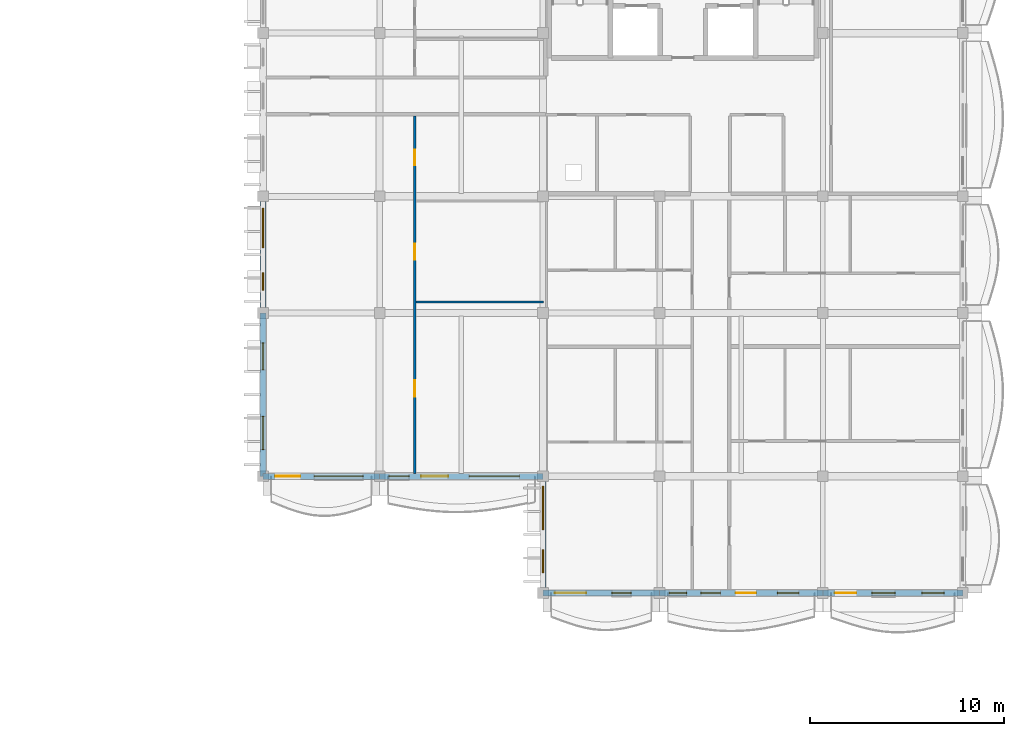
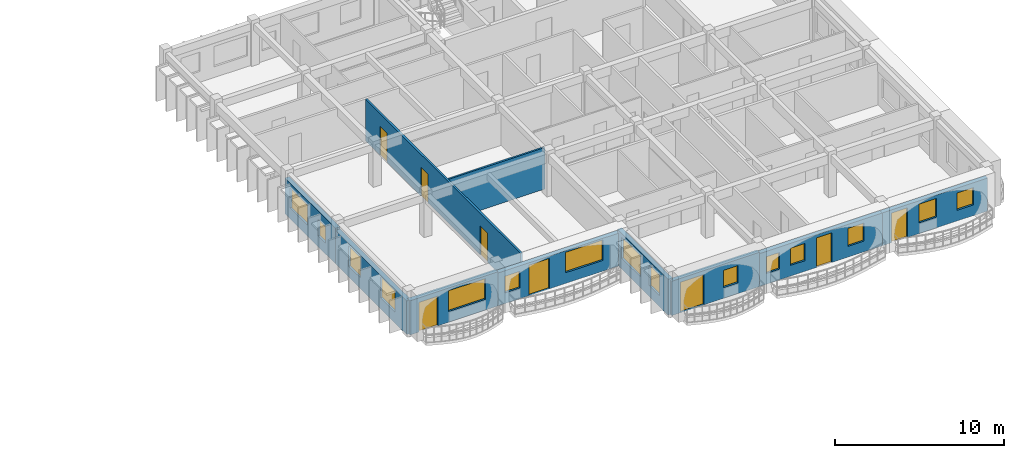
# One storey, part 31 of 70: 15 windows, 10 walls, 8 doors, 23 openings.
"""IFC4 building model written with IfcOpenShell, lengths in metres."""

from ifc_helpers import new_model, si_unit, direction, frame, frame_2d, origin, place, context, subcontext, project, spatial, rectangle, extrude, material, layer, layer_set, type_object, element, fill, save


model = new_model("IFC4")

# Units and contexts
model_context = context("Model", 3, precision=1e-05, world=origin(), true_north=direction((0.0, 1.0)))
body_context = subcontext(model_context, "Body", "Model", "MODEL_VIEW")
ifc_project = project(units=[si_unit("LENGTHUNIT", "METRE"), si_unit("AREAUNIT", "SQUARE_METRE"), si_unit("VOLUMEUNIT", "CUBIC_METRE"), si_unit("PLANEANGLEUNIT", "RADIAN"), si_unit("MASSUNIT", "GRAM", prefix="KILO"), si_unit("THERMODYNAMICTEMPERATUREUNIT", "KELVIN")], contexts=[model_context])

# Site, building, storey
site_placement = place(None, origin())
site = spatial("IfcSite", under=ifc_project, at=site_placement, CompositionType="ELEMENT")
building_placement = place(site_placement, origin())
building = spatial("IfcBuilding", under=site, at=building_placement, Name="Thalorik Housing Commons", CompositionType="ELEMENT")
storey_placement = place(building_placement, frame((0.0, 0.0, 14.699951171875)))
storey = spatial("IfcBuildingStorey", under=building, at=storey_placement, Name="L04", CompositionType="ELEMENT", Elevation=14.699951171875)

# Wall, openings, windows
ifc_material_1 = material(Name="White precast concrete C40/50", Category="concrete")
ifc_layer_1 = layer(ifc_material_1, 0.304931640625, Name="White precast concrete C40/50", Category="concrete")
ifc_layer_set_1 = layer_set([ifc_layer_1], Name="White precast concrete C40/50")
wall_type_1 = type_object("IfcWallType", Name="ARC-WAL-EXT-305", PredefinedType="STANDARD", material=ifc_layer_set_1)
wall_1_placement = place(storey_placement, frame((138.0, 57.60009765625, 0.0), z_axis=(0.0, 0.0, 1.0), x_axis=(0.0, -1.0, 0.0)))
wall_1 = element("IfcWall", 1, at=wall_1_placement, inside=storey, type_object=wall_type_1, Name="L04 Exterior Wall WAL-EXT-L04-D-1189", PredefinedType="STANDARD", context=body_context, shape_type="SweptSolid", body=[
    extrude(rectangle(XDim=6.0, YDim=0.304931640625, at=frame_2d((3.0, 0.0))), origin(), (0.0, 0.0, 1.0), 2.574951171875),
])
opening_1_placement = place(wall_1_placement, frame((0.610107421875, 0.0, 0.780029296875)))
opening_1 = element("IfcOpeningElement", 2, at=opening_1_placement, cuts=wall_1, Name="Opening W-62", PredefinedType="OPENING", context=body_context, shape_type="SweptSolid", body=[
    extrude(rectangle(XDim=2.0400390625, YDim=1.4599609375, at=frame_2d((1.02001953125, 0.72998046875))), frame((0.0, 0.16259765625, 0.0), z_axis=(0.0, -1.0, 0.0), x_axis=(1.0, 0.0, 0.0)), (0.0, 0.0, 1.0), 0.324951171875),
])
opening_2_placement = place(wall_1_placement, frame((3.919921875, 0.0, 0.780029296875)))
opening_2 = element("IfcOpeningElement", 3, at=opening_2_placement, cuts=wall_1, Name="Opening W-01", PredefinedType="OPENING", context=body_context, shape_type="SweptSolid", body=[
    extrude(rectangle(XDim=0.89990234375, YDim=1.199951171875, at=frame_2d((0.449951171875, 0.60009765625))), frame((0.0, 0.16259765625, 0.0), z_axis=(0.0, -1.0, 0.0), x_axis=(1.0, 0.0, 0.0)), (0.0, 0.0, 1.0), 0.324951171875),
])
ifc_material_2 = material(Name="Anodised aluminium and solar-control low-E glass", Category="aluminium")
window_type_1 = type_object("IfcWindowType", Name="ARC-WIN-01", PartitioningType="SINGLE_PANEL", PredefinedType="WINDOW", material=ifc_material_2)
window_1_placement = place(opening_2_placement, origin())
window_1 = element("IfcWindow", 4, at=window_1_placement, inside=storey, type_object=window_type_1, Name="L04 Facade Window 2176", OverallHeight=1.199951171875, OverallWidth=0.89990234375, PartitioningType="SINGLE_PANEL", PredefinedType="WINDOW", context=body_context, shape_type="SweptSolid", body=[
    extrude(rectangle(XDim=0.89990234375, YDim=1.199951171875, at=frame_2d((0.449951171875, 0.60009765625))), frame((0.0, 0.030029296875, 0.0), z_axis=(0.0, -1.0, 0.0), x_axis=(1.0, 0.0, 0.0)), (0.0, 0.0, 1.0), 0.06005859375),
])
fill(opening_2, window_1)
window_type_2 = type_object("IfcWindowType", Name="ARC-WIN-62", PartitioningType="DOUBLE_PANEL_VERTICAL", PredefinedType="WINDOW", material=ifc_material_2)
window_2_placement = place(opening_1_placement, origin())
window_2 = element("IfcWindow", 5, at=window_2_placement, inside=storey, type_object=window_type_2, Name="L04 Facade Window 2175", OverallHeight=1.4599609375, OverallWidth=2.0400390625, PartitioningType="DOUBLE_PANEL_VERTICAL", PredefinedType="WINDOW", context=body_context, shape_type="SweptSolid", body=[
    extrude(rectangle(XDim=2.0400390625, YDim=1.4599609375, at=frame_2d((1.02001953125, 0.72998046875))), frame((0.0, 0.030029296875, 0.0), z_axis=(0.0, -1.0, 0.0), x_axis=(1.0, 0.0, 0.0)), (0.0, 0.0, 1.0), 0.06005859375),
])
fill(opening_1, window_2)

wall_2_placement = place(storey_placement, frame((138.0, 51.60009765625, 0.0), z_axis=(0.0, 0.0, 1.0), x_axis=(0.0, -1.0, 0.0)))
wall_2 = element("IfcWall", 6, at=wall_2_placement, inside=storey, type_object=wall_type_1, Name="L04 Exterior Wall WAL-EXT-L04-D-1190", PredefinedType="STANDARD", context=body_context, shape_type="SweptSolid", body=[
    extrude(rectangle(XDim=8.400146484375, YDim=0.304931640625, at=frame_2d((4.2001953125, 0.0))), origin(), (0.0, 0.0, 1.0), 2.425048828125),
])
opening_3_placement = place(wall_2_placement, frame((1.5400390625, 0.0, 0.780029296875)))
opening_3 = element("IfcOpeningElement", 7, at=opening_3_placement, cuts=wall_2, Name="Opening W-49", PredefinedType="OPENING", context=body_context, shape_type="SweptSolid", body=[
    extrude(rectangle(XDim=1.3798828125, YDim=1.47998046875, at=frame_2d((0.68994140625, 0.739990234375))), frame((0.0, 0.16259765625, 0.0), z_axis=(0.0, -1.0, 0.0), x_axis=(1.0, 0.0, 0.0)), (0.0, 0.0, 1.0), 0.324951171875),
])
opening_4_placement = place(wall_2_placement, frame((5.31005859375, 0.0, 0.780029296875)))
opening_4 = element("IfcOpeningElement", 8, at=opening_4_placement, cuts=wall_2, Name="Opening W-56", PredefinedType="OPENING", context=body_context, shape_type="SweptSolid", body=[
    extrude(rectangle(XDim=1.719970703125, YDim=1.52001953125, at=frame_2d((0.85986328125, 0.760009765625))), frame((0.0, 0.16259765625, 0.0), z_axis=(0.0, -1.0, 0.0), x_axis=(1.0, 0.0, 0.0)), (0.0, 0.0, 1.0), 0.324951171875),
])
window_type_3 = type_object("IfcWindowType", Name="ARC-WIN-49", PartitioningType="SINGLE_PANEL", PredefinedType="WINDOW", material=ifc_material_2)
window_3_placement = place(opening_3_placement, origin())
window_3 = element("IfcWindow", 9, at=window_3_placement, inside=storey, type_object=window_type_3, Name="L04 Facade Window 2177", OverallHeight=1.47998046875, OverallWidth=1.3798828125, PartitioningType="SINGLE_PANEL", PredefinedType="WINDOW", context=body_context, shape_type="SweptSolid", body=[
    extrude(rectangle(XDim=1.3798828125, YDim=1.47998046875, at=frame_2d((0.68994140625, 0.739990234375))), frame((0.0, 0.030029296875, 0.0), z_axis=(0.0, -1.0, 0.0), x_axis=(1.0, 0.0, 0.0)), (0.0, 0.0, 1.0), 0.06005859375),
])
fill(opening_3, window_3)
window_type_4 = type_object("IfcWindowType", Name="ARC-WIN-56", PartitioningType="DOUBLE_PANEL_VERTICAL", PredefinedType="WINDOW", material=ifc_material_2)
window_4_placement = place(opening_4_placement, origin())
window_4 = element("IfcWindow", 10, at=window_4_placement, inside=storey, type_object=window_type_4, Name="L04 Facade Window 2178", OverallHeight=1.52001953125, OverallWidth=1.719970703125, PartitioningType="DOUBLE_PANEL_VERTICAL", PredefinedType="WINDOW", context=body_context, shape_type="SweptSolid", body=[
    extrude(rectangle(XDim=1.719970703125, YDim=1.52001953125, at=frame_2d((0.85986328125, 0.760009765625))), frame((0.0, 0.030029296875, 0.0), z_axis=(0.0, -1.0, 0.0), x_axis=(1.0, 0.0, 0.0)), (0.0, 0.0, 1.0), 0.06005859375),
])
fill(opening_4, window_4)

# Wall, openings, door, window
wall_3_placement = place(storey_placement, frame((138.0, 43.199951171875, 0.0), z_axis=(0.0, 0.0, 1.0), x_axis=(1.0, 0.0, 0.0)))
wall_3 = element("IfcWall", 11, at=wall_3_placement, inside=storey, type_object=wall_type_1, Name="L04 Exterior Wall WAL-EXT-L04-D-1191", PredefinedType="STANDARD", context=body_context, shape_type="SweptSolid", body=[
    extrude(rectangle(XDim=6.0, YDim=0.304931640625, at=frame_2d((3.0, 0.0))), origin(), (0.0, 0.0, 1.0), 2.47509765625),
])
opening_5_placement = place(wall_3_placement, frame((0.6201171875, 0.0, 0.0)))
opening_5 = element("IfcOpeningElement", 12, at=opening_5_placement, cuts=wall_3, Name="Opening ED-0396", PredefinedType="OPENING", context=body_context, shape_type="SweptSolid", body=[
    extrude(rectangle(XDim=1.300048828125, YDim=2.14990234375, at=frame_2d((0.64990234375, 1.074951171875))), frame((0.0, 0.16259765625, 0.0), z_axis=(0.0, -1.0, 0.0), x_axis=(1.0, 0.0, 0.0)), (0.0, 0.0, 1.0), 0.324951171875),
])
opening_6_placement = place(wall_3_placement, frame((2.6298828125, 0.0, 0.780029296875)))
opening_6 = element("IfcOpeningElement", 13, at=opening_6_placement, cuts=wall_3, Name="Opening W-72", PredefinedType="OPENING", context=body_context, shape_type="SweptSolid", body=[
    extrude(rectangle(XDim=2.52001953125, YDim=1.5, at=frame_2d((1.260009765625, 0.75))), frame((0.0, 0.16259765625, 0.0), z_axis=(0.0, -1.0, 0.0), x_axis=(1.0, 0.0, 0.0)), (0.0, 0.0, 1.0), 0.324951171875),
])
ifc_material_3 = material(Name="Anodised aluminium and laminated safety glass", Category="aluminium")
door_type_1 = type_object("IfcDoorType", Name="ARC-DR-BAL-1300", OperationType="NOTDEFINED", PredefinedType="DOOR", material=ifc_material_3)
door_1_placement = place(opening_5_placement, frame((1.300048828125, 0.0, 0.0), z_axis=(0.0, 0.0, 1.0), x_axis=(-1.0, 0.0, 0.0)))
door_1 = element("IfcDoor", 14, at=door_1_placement, inside=storey, type_object=door_type_1, Name="L04 Block D Balcony Glazed Door", OperationType="SINGLE_SWING_LEFT", OverallHeight=2.14990234375, OverallWidth=1.300048828125, PredefinedType="DOOR", context=body_context, shape_type="SweptSolid", body=[
    extrude(rectangle(XDim=1.300048828125, YDim=2.14990234375, at=frame_2d((0.64990234375, 1.074951171875))), frame((0.0, 0.02490234375, 0.0), z_axis=(0.0, -1.0, 0.0), x_axis=(1.0, 0.0, 0.0)), (0.0, 0.0, 1.0), 0.050048828125),
])
fill(opening_5, door_1)
window_type_5 = type_object("IfcWindowType", Name="ARC-WIN-72", PartitioningType="DOUBLE_PANEL_VERTICAL", PredefinedType="WINDOW", material=ifc_material_2)
window_5_placement = place(opening_6_placement, origin())
window_5 = element("IfcWindow", 15, at=window_5_placement, inside=storey, type_object=window_type_5, Name="L04 Facade Window 2179", OverallHeight=1.5, OverallWidth=2.52001953125, PartitioningType="DOUBLE_PANEL_VERTICAL", PredefinedType="WINDOW", context=body_context, shape_type="SweptSolid", body=[
    extrude(rectangle(XDim=2.52001953125, YDim=1.5, at=frame_2d((1.260009765625, 0.75))), frame((0.0, 0.030029296875, 0.0), z_axis=(0.0, -1.0, 0.0), x_axis=(1.0, 0.0, 0.0)), (0.0, 0.0, 1.0), 0.06005859375),
])
fill(opening_6, window_5)

# Wall, openings, door, windows
wall_4_placement = place(storey_placement, frame((144.0, 43.199951171875, 0.0), z_axis=(0.0, 0.0, 1.0), x_axis=(1.0, 0.0, 0.0)))
wall_4 = element("IfcWall", 16, at=wall_4_placement, inside=storey, type_object=wall_type_1, Name="L04 Exterior Wall WAL-EXT-L04-D-1192", PredefinedType="STANDARD", context=body_context, shape_type="SweptSolid", body=[
    extrude(rectangle(XDim=8.39990234375, YDim=0.304931640625, at=frame_2d((4.199951171875, 0.0))), origin(), (0.0, 0.0, 1.0), 2.375),
])
opening_7_placement = place(wall_4_placement, frame((2.1298828125, 0.0, 0.0)))
opening_7 = element("IfcOpeningElement", 17, at=opening_7_placement, cuts=wall_4, Name="Opening ED-0397", PredefinedType="OPENING", context=body_context, shape_type="SweptSolid", body=[
    extrude(rectangle(XDim=1.39990234375, YDim=2.199951171875, at=frame_2d((0.699951171875, 1.10009765625))), frame((0.0, 0.16259765625, 0.0), z_axis=(0.0, -1.0, 0.0), x_axis=(1.0, 0.0, 0.0)), (0.0, 0.0, 1.0), 0.324951171875),
])
opening_8_placement = place(wall_4_placement, frame((0.469970703125, 0.0, 0.780029296875)))
opening_8 = element("IfcOpeningElement", 18, at=opening_8_placement, cuts=wall_4, Name="Opening W-44", PredefinedType="OPENING", context=body_context, shape_type="SweptSolid", body=[
    extrude(rectangle(XDim=1.050048828125, YDim=1.199951171875, at=frame_2d((0.52490234375, 0.60009765625))), frame((0.0, 0.16259765625, 0.0), z_axis=(0.0, -1.0, 0.0), x_axis=(1.0, 0.0, 0.0)), (0.0, 0.0, 1.0), 0.324951171875),
])
opening_9_placement = place(wall_4_placement, frame((4.60498046875, 0.0, 0.780029296875)))
opening_9 = element("IfcOpeningElement", 19, at=opening_9_placement, cuts=wall_4, Name="Opening W-73", PredefinedType="OPENING", context=body_context, shape_type="SweptSolid", body=[
    extrude(rectangle(XDim=2.580078125, YDim=1.47998046875, at=frame_2d((1.2900390625, 0.739990234375))), frame((0.0, 0.16259765625, 0.0), z_axis=(0.0, -1.0, 0.0), x_axis=(1.0, 0.0, 0.0)), (0.0, 0.0, 1.0), 0.324951171875),
])
door_type_2 = type_object("IfcDoorType", Name="ARC-DR-BAL-1400", OperationType="NOTDEFINED", PredefinedType="DOOR", material=ifc_material_3)
door_2_placement = place(opening_7_placement, frame((1.39990234375, 0.0, 0.0), z_axis=(0.0, 0.0, 1.0), x_axis=(-1.0, 0.0, 0.0)))
door_2 = element("IfcDoor", 20, at=door_2_placement, inside=storey, type_object=door_type_2, Name="L04 Block D Balcony Glazed Door", OperationType="SLIDING_TO_LEFT", OverallHeight=2.199951171875, OverallWidth=1.39990234375, PredefinedType="DOOR", context=body_context, shape_type="SweptSolid", body=[
    extrude(rectangle(XDim=1.39990234375, YDim=2.199951171875, at=frame_2d((0.699951171875, 1.10009765625))), frame((0.0, 0.02490234375, 0.0), z_axis=(0.0, -1.0, 0.0), x_axis=(1.0, 0.0, 0.0)), (0.0, 0.0, 1.0), 0.050048828125),
])
fill(opening_7, door_2)
window_type_6 = type_object("IfcWindowType", Name="ARC-WIN-44", PartitioningType="SINGLE_PANEL", PredefinedType="WINDOW", material=ifc_material_2)
window_6_placement = place(opening_8_placement, origin())
window_6 = element("IfcWindow", 21, at=window_6_placement, inside=storey, type_object=window_type_6, Name="L04 Facade Window 2180", OverallHeight=1.199951171875, OverallWidth=1.050048828125, PartitioningType="SINGLE_PANEL", PredefinedType="WINDOW", context=body_context, shape_type="SweptSolid", body=[
    extrude(rectangle(XDim=1.050048828125, YDim=1.199951171875, at=frame_2d((0.52490234375, 0.60009765625))), frame((0.0, 0.030029296875, 0.0), z_axis=(0.0, -1.0, 0.0), x_axis=(1.0, 0.0, 0.0)), (0.0, 0.0, 1.0), 0.06005859375),
])
fill(opening_8, window_6)
window_type_7 = type_object("IfcWindowType", Name="ARC-WIN-73", PartitioningType="DOUBLE_PANEL_VERTICAL", PredefinedType="WINDOW", material=ifc_material_2)
window_7_placement = place(opening_9_placement, origin())
window_7 = element("IfcWindow", 22, at=window_7_placement, inside=storey, type_object=window_type_7, Name="L04 Facade Window 2181", OverallHeight=1.47998046875, OverallWidth=2.580078125, PartitioningType="DOUBLE_PANEL_VERTICAL", PredefinedType="WINDOW", context=body_context, shape_type="SweptSolid", body=[
    extrude(rectangle(XDim=2.580078125, YDim=1.47998046875, at=frame_2d((1.2900390625, 0.739990234375))), frame((0.0, 0.030029296875, 0.0), z_axis=(0.0, -1.0, 0.0), x_axis=(1.0, 0.0, 0.0)), (0.0, 0.0, 1.0), 0.06005859375),
])
fill(opening_9, window_7)

# Wall, openings, windows
wall_5_placement = place(storey_placement, frame((152.39990234375, 43.199951171875, 0.0), z_axis=(0.0, 0.0, 1.0), x_axis=(0.0, -1.0, 0.0)))
wall_5 = element("IfcWall", 23, at=wall_5_placement, inside=storey, type_object=wall_type_1, Name="L04 Exterior Wall WAL-EXT-L04-D-1193", PredefinedType="STANDARD", context=body_context, shape_type="SweptSolid", body=[
    extrude(rectangle(XDim=6.0, YDim=0.304931640625, at=frame_2d((3.0, 0.0))), origin(), (0.0, 0.0, 1.0), 2.574951171875),
])
opening_10_placement = place(wall_5_placement, frame((0.510009765625, 0.0, 0.780029296875)))
opening_10 = element("IfcOpeningElement", 24, at=opening_10_placement, cuts=wall_5, Name="Opening W-66", PredefinedType="OPENING", context=body_context, shape_type="SweptSolid", body=[
    extrude(rectangle(XDim=2.239990234375, YDim=1.52001953125, at=frame_2d((1.1201171875, 0.760009765625))), frame((0.0, 0.16259765625, 0.0), z_axis=(0.0, -1.0, 0.0), x_axis=(1.0, 0.0, 0.0)), (0.0, 0.0, 1.0), 0.324951171875),
])
opening_11_placement = place(wall_5_placement, frame((3.77001953125, 0.0, 0.780029296875)))
opening_11 = element("IfcOpeningElement", 25, at=opening_11_placement, cuts=wall_5, Name="Opening W-05", PredefinedType="OPENING", context=body_context, shape_type="SweptSolid", body=[
    extrude(rectangle(XDim=1.199951171875, YDim=1.5, at=frame_2d((0.60009765625, 0.75))), frame((0.0, 0.16259765625, 0.0), z_axis=(0.0, -1.0, 0.0), x_axis=(1.0, 0.0, 0.0)), (0.0, 0.0, 1.0), 0.324951171875),
])
window_type_8 = type_object("IfcWindowType", Name="ARC-WIN-05", PartitioningType="SINGLE_PANEL", PredefinedType="WINDOW", material=ifc_material_2)
window_8_placement = place(opening_11_placement, origin())
window_8 = element("IfcWindow", 26, at=window_8_placement, inside=storey, type_object=window_type_8, Name="L04 Facade Window 2183", OverallHeight=1.5, OverallWidth=1.199951171875, PartitioningType="SINGLE_PANEL", PredefinedType="WINDOW", context=body_context, shape_type="SweptSolid", body=[
    extrude(rectangle(XDim=1.199951171875, YDim=1.5, at=frame_2d((0.60009765625, 0.75))), frame((0.0, 0.030029296875, 0.0), z_axis=(0.0, -1.0, 0.0), x_axis=(1.0, 0.0, 0.0)), (0.0, 0.0, 1.0), 0.06005859375),
])
fill(opening_11, window_8)
window_type_9 = type_object("IfcWindowType", Name="ARC-WIN-66", PartitioningType="DOUBLE_PANEL_VERTICAL", PredefinedType="WINDOW", material=ifc_material_2)
window_9_placement = place(opening_10_placement, origin())
window_9 = element("IfcWindow", 27, at=window_9_placement, inside=storey, type_object=window_type_9, Name="L04 Facade Window 2182", OverallHeight=1.52001953125, OverallWidth=2.239990234375, PartitioningType="DOUBLE_PANEL_VERTICAL", PredefinedType="WINDOW", context=body_context, shape_type="SweptSolid", body=[
    extrude(rectangle(XDim=2.239990234375, YDim=1.52001953125, at=frame_2d((1.1201171875, 0.760009765625))), frame((0.0, 0.030029296875, 0.0), z_axis=(0.0, -1.0, 0.0), x_axis=(1.0, 0.0, 0.0)), (0.0, 0.0, 1.0), 0.06005859375),
])
fill(opening_10, window_9)

# Wall, openings, door, window
wall_6_placement = place(storey_placement, frame((152.39990234375, 37.199951171875, 0.0), z_axis=(0.0, 0.0, 1.0), x_axis=(1.0, 0.0, 0.0)))
wall_6 = element("IfcWall", 28, at=wall_6_placement, inside=storey, type_object=wall_type_1, Name="L04 Exterior Wall WAL-EXT-L04-D-1194", PredefinedType="STANDARD", context=body_context, shape_type="SweptSolid", body=[
    extrude(rectangle(XDim=6.0, YDim=0.304931640625, at=frame_2d((3.0, 0.0))), origin(), (0.0, 0.0, 1.0), 2.47509765625),
])
opening_12_placement = place(wall_6_placement, frame((0.6201171875, 0.0, 0.0)))
opening_12 = element("IfcOpeningElement", 29, at=opening_12_placement, cuts=wall_6, Name="Opening ED-0398", PredefinedType="OPENING", context=body_context, shape_type="SweptSolid", body=[
    extrude(rectangle(XDim=1.60009765625, YDim=2.199951171875, at=frame_2d((0.800048828125, 1.10009765625))), frame((0.0, 0.16259765625, 0.0), z_axis=(0.0, -1.0, 0.0), x_axis=(1.0, 0.0, 0.0)), (0.0, 0.0, 1.0), 0.324951171875),
])
opening_13_placement = place(wall_6_placement, frame((3.5400390625, 0.0, 0.780029296875)))
opening_13 = element("IfcOpeningElement", 30, at=opening_13_placement, cuts=wall_6, Name="Opening W-02", PredefinedType="OPENING", context=body_context, shape_type="SweptSolid", body=[
    extrude(rectangle(XDim=1.0, YDim=1.25, at=frame_2d((0.5, 0.625))), frame((0.0, 0.16259765625, 0.0), z_axis=(0.0, -1.0, 0.0), x_axis=(1.0, 0.0, 0.0)), (0.0, 0.0, 1.0), 0.324951171875),
])
door_type_3 = type_object("IfcDoorType", Name="ARC-DR-BAL-1600", OperationType="NOTDEFINED", PredefinedType="DOOR", material=ifc_material_3)
door_3_placement = place(opening_12_placement, frame((1.60009765625, 0.0, 0.0), z_axis=(0.0, 0.0, 1.0), x_axis=(-1.0, 0.0, 0.0)))
door_3 = element("IfcDoor", 31, at=door_3_placement, inside=storey, type_object=door_type_3, Name="L04 Block D Balcony Glazed Door", OperationType="SLIDING_TO_LEFT", OverallHeight=2.199951171875, OverallWidth=1.60009765625, PredefinedType="DOOR", context=body_context, shape_type="SweptSolid", body=[
    extrude(rectangle(XDim=1.60009765625, YDim=2.199951171875, at=frame_2d((0.800048828125, 1.10009765625))), frame((0.0, 0.02490234375, 0.0), z_axis=(0.0, -1.0, 0.0), x_axis=(1.0, 0.0, 0.0)), (0.0, 0.0, 1.0), 0.050048828125),
])
fill(opening_12, door_3)
window_type_10 = type_object("IfcWindowType", Name="ARC-WIN-02", PartitioningType="SINGLE_PANEL", PredefinedType="WINDOW", material=ifc_material_2)
window_10_placement = place(opening_13_placement, origin())
window_10 = element("IfcWindow", 32, at=window_10_placement, inside=storey, type_object=window_type_10, Name="L04 Facade Window 2184", OverallHeight=1.25, OverallWidth=1.0, PartitioningType="SINGLE_PANEL", PredefinedType="WINDOW", context=body_context, shape_type="SweptSolid", body=[
    extrude(rectangle(XDim=1.0, YDim=1.25, at=frame_2d((0.5, 0.625))), frame((0.0, 0.030029296875, 0.0), z_axis=(0.0, -1.0, 0.0), x_axis=(1.0, 0.0, 0.0)), (0.0, 0.0, 1.0), 0.06005859375),
])
fill(opening_13, window_10)

# Wall, openings, door, windows
wall_7_placement = place(storey_placement, frame((158.39990234375, 37.199951171875, 0.0), z_axis=(0.0, 0.0, 1.0), x_axis=(1.0, 0.0, 0.0)))
wall_7 = element("IfcWall", 33, at=wall_7_placement, inside=storey, type_object=wall_type_1, Name="L04 Exterior Wall WAL-EXT-L04-D-1195", PredefinedType="STANDARD", context=body_context, shape_type="SweptSolid", body=[
    extrude(rectangle(XDim=8.400146484375, YDim=0.304931640625, at=frame_2d((4.2001953125, 0.0))), origin(), (0.0, 0.0, 1.0), 2.375),
])
opening_14_placement = place(wall_7_placement, frame((3.909912109375, 0.0, 0.0)))
opening_14 = element("IfcOpeningElement", 34, at=opening_14_placement, cuts=wall_7, Name="Opening ED-0399", PredefinedType="OPENING", context=body_context, shape_type="SweptSolid", body=[
    extrude(rectangle(XDim=1.050048828125, YDim=2.14990234375, at=frame_2d((0.52490234375, 1.074951171875))), frame((0.0, 0.16259765625, 0.0), z_axis=(0.0, -1.0, 0.0), x_axis=(1.0, 0.0, 0.0)), (0.0, 0.0, 1.0), 0.324951171875),
])
opening_15_placement = place(wall_7_placement, frame((0.485107421875, 0.0, 0.780029296875)))
opening_15 = element("IfcOpeningElement", 35, at=opening_15_placement, cuts=wall_7, Name="Opening W-01", PredefinedType="OPENING", context=body_context, shape_type="SweptSolid", body=[
    extrude(rectangle(XDim=0.89990234375, YDim=1.199951171875, at=frame_2d((0.449951171875, 0.60009765625))), frame((0.0, 0.16259765625, 0.0), z_axis=(0.0, -1.0, 0.0), x_axis=(1.0, 0.0, 0.0)), (0.0, 0.0, 1.0), 0.324951171875),
])
opening_16_placement = place(wall_7_placement, frame((2.1298828125, 0.0, 0.780029296875)))
opening_16 = element("IfcOpeningElement", 36, at=opening_16_placement, cuts=wall_7, Name="Opening W-02", PredefinedType="OPENING", context=body_context, shape_type="SweptSolid", body=[
    extrude(rectangle(XDim=1.0, YDim=1.25, at=frame_2d((0.5, 0.625))), frame((0.0, 0.16259765625, 0.0), z_axis=(0.0, -1.0, 0.0), x_axis=(1.0, 0.0, 0.0)), (0.0, 0.0, 1.0), 0.324951171875),
])
opening_17_placement = place(wall_7_placement, frame((6.06005859375, 0.0, 0.780029296875)))
opening_17 = element("IfcOpeningElement", 37, at=opening_17_placement, cuts=wall_7, Name="Opening W-03", PredefinedType="OPENING", context=body_context, shape_type="SweptSolid", body=[
    extrude(rectangle(XDim=1.10009765625, YDim=1.300048828125, at=frame_2d((0.550048828125, 0.64990234375))), frame((0.0, 0.16259765625, 0.0), z_axis=(0.0, -1.0, 0.0), x_axis=(1.0, 0.0, 0.0)), (0.0, 0.0, 1.0), 0.324951171875),
])
door_type_4 = type_object("IfcDoorType", Name="ARC-DR-BAL-1050", OperationType="NOTDEFINED", PredefinedType="DOOR", material=ifc_material_3)
door_4_placement = place(opening_14_placement, frame((1.050048828125, 0.0, 0.0), z_axis=(0.0, 0.0, 1.0), x_axis=(-1.0, 0.0, 0.0)))
door_4 = element("IfcDoor", 38, at=door_4_placement, inside=storey, type_object=door_type_4, Name="L04 Block D Balcony Glazed Door", OperationType="SINGLE_SWING_RIGHT", OverallHeight=2.14990234375, OverallWidth=1.050048828125, PredefinedType="DOOR", context=body_context, shape_type="SweptSolid", body=[
    extrude(rectangle(XDim=1.050048828125, YDim=2.14990234375, at=frame_2d((0.52490234375, 1.074951171875))), frame((0.0, 0.02490234375, 0.0), z_axis=(0.0, -1.0, 0.0), x_axis=(1.0, 0.0, 0.0)), (0.0, 0.0, 1.0), 0.050048828125),
])
fill(opening_14, door_4)
window_11_placement = place(opening_15_placement, origin())
window_11 = element("IfcWindow", 39, at=window_11_placement, inside=storey, type_object=window_type_1, Name="L04 Facade Window 2185", OverallHeight=1.199951171875, OverallWidth=0.89990234375, PartitioningType="SINGLE_PANEL", PredefinedType="WINDOW", context=body_context, shape_type="SweptSolid", body=[
    extrude(rectangle(XDim=0.89990234375, YDim=1.199951171875, at=frame_2d((0.449951171875, 0.60009765625))), frame((0.0, 0.030029296875, 0.0), z_axis=(0.0, -1.0, 0.0), x_axis=(1.0, 0.0, 0.0)), (0.0, 0.0, 1.0), 0.06005859375),
])
fill(opening_15, window_11)
window_12_placement = place(opening_16_placement, origin())
window_12 = element("IfcWindow", 40, at=window_12_placement, inside=storey, type_object=window_type_10, Name="L04 Facade Window 2186", OverallHeight=1.25, OverallWidth=1.0, PartitioningType="SINGLE_PANEL", PredefinedType="WINDOW", context=body_context, shape_type="SweptSolid", body=[
    extrude(rectangle(XDim=1.0, YDim=1.25, at=frame_2d((0.5, 0.625))), frame((0.0, 0.030029296875, 0.0), z_axis=(0.0, -1.0, 0.0), x_axis=(1.0, 0.0, 0.0)), (0.0, 0.0, 1.0), 0.06005859375),
])
fill(opening_16, window_12)
window_type_11 = type_object("IfcWindowType", Name="ARC-WIN-03", PartitioningType="SINGLE_PANEL", PredefinedType="WINDOW", material=ifc_material_2)
window_13_placement = place(opening_17_placement, origin())
window_13 = element("IfcWindow", 41, at=window_13_placement, inside=storey, type_object=window_type_11, Name="L04 Facade Window 2187", OverallHeight=1.300048828125, OverallWidth=1.10009765625, PartitioningType="SINGLE_PANEL", PredefinedType="WINDOW", context=body_context, shape_type="SweptSolid", body=[
    extrude(rectangle(XDim=1.10009765625, YDim=1.300048828125, at=frame_2d((0.550048828125, 0.64990234375))), frame((0.0, 0.030029296875, 0.0), z_axis=(0.0, -1.0, 0.0), x_axis=(1.0, 0.0, 0.0)), (0.0, 0.0, 1.0), 0.06005859375),
])
fill(opening_17, window_13)

wall_8_placement = place(storey_placement, frame((166.800048828125, 37.199951171875, 0.0), z_axis=(0.0, 0.0, 1.0), x_axis=(1.0, 0.0, 0.0)))
wall_8 = element("IfcWall", 42, at=wall_8_placement, inside=storey, type_object=wall_type_1, Name="L04 Exterior Wall WAL-EXT-L04-D-1196", PredefinedType="STANDARD", context=body_context, shape_type="SweptSolid", body=[
    extrude(rectangle(XDim=7.199951171875, YDim=0.304931640625, at=frame_2d((3.60009765625, 0.0))), origin(), (0.0, 0.0, 1.0), 2.375),
])
opening_18_placement = place(wall_8_placement, frame((0.6201171875, 0.0, 0.0)))
opening_18 = element("IfcOpeningElement", 43, at=opening_18_placement, cuts=wall_8, Name="Opening ED-0400", PredefinedType="OPENING", context=body_context, shape_type="SweptSolid", body=[
    extrude(rectangle(XDim=1.10009765625, YDim=2.14990234375, at=frame_2d((0.550048828125, 1.074951171875))), frame((0.0, 0.16259765625, 0.0), z_axis=(0.0, -1.0, 0.0), x_axis=(1.0, 0.0, 0.0)), (0.0, 0.0, 1.0), 0.324951171875),
])
opening_19_placement = place(wall_8_placement, frame((2.514892578125, 0.0, 0.780029296875)))
opening_19 = element("IfcOpeningElement", 44, at=opening_19_placement, cuts=wall_8, Name="Opening W-04", PredefinedType="OPENING", context=body_context, shape_type="SweptSolid", body=[
    extrude(rectangle(XDim=1.199951171875, YDim=1.35009765625, at=frame_2d((0.60009765625, 0.675048828125))), frame((0.0, 0.16259765625, 0.0), z_axis=(0.0, -1.0, 0.0), x_axis=(1.0, 0.0, 0.0)), (0.0, 0.0, 1.0), 0.324951171875),
])
opening_20_placement = place(wall_8_placement, frame((5.090087890625, 0.0, 0.780029296875)))
opening_20 = element("IfcOpeningElement", 45, at=opening_20_placement, cuts=wall_8, Name="Opening W-45", PredefinedType="OPENING", context=body_context, shape_type="SweptSolid", body=[
    extrude(rectangle(XDim=1.14990234375, YDim=1.25, at=frame_2d((0.574951171875, 0.625))), frame((0.0, 0.16259765625, 0.0), z_axis=(0.0, -1.0, 0.0), x_axis=(1.0, 0.0, 0.0)), (0.0, 0.0, 1.0), 0.324951171875),
])
door_type_5 = type_object("IfcDoorType", Name="ARC-DR-BAL-1100", OperationType="NOTDEFINED", PredefinedType="DOOR", material=ifc_material_3)
door_5_placement = place(opening_18_placement, frame((1.10009765625, 0.0, 0.0), z_axis=(0.0, 0.0, 1.0), x_axis=(-1.0, 0.0, 0.0)))
door_5 = element("IfcDoor", 46, at=door_5_placement, inside=storey, type_object=door_type_5, Name="L04 Block D Balcony Glazed Door", OperationType="SINGLE_SWING_LEFT", OverallHeight=2.14990234375, OverallWidth=1.10009765625, PredefinedType="DOOR", context=body_context, shape_type="SweptSolid", body=[
    extrude(rectangle(XDim=1.10009765625, YDim=2.14990234375, at=frame_2d((0.550048828125, 1.074951171875))), frame((0.0, 0.02490234375, 0.0), z_axis=(0.0, -1.0, 0.0), x_axis=(1.0, 0.0, 0.0)), (0.0, 0.0, 1.0), 0.050048828125),
])
fill(opening_18, door_5)
window_type_12 = type_object("IfcWindowType", Name="ARC-WIN-04", PartitioningType="SINGLE_PANEL", PredefinedType="WINDOW", material=ifc_material_2)
window_14_placement = place(opening_19_placement, origin())
window_14 = element("IfcWindow", 47, at=window_14_placement, inside=storey, type_object=window_type_12, Name="L04 Facade Window 2188", OverallHeight=1.35009765625, OverallWidth=1.199951171875, PartitioningType="SINGLE_PANEL", PredefinedType="WINDOW", context=body_context, shape_type="SweptSolid", body=[
    extrude(rectangle(XDim=1.199951171875, YDim=1.35009765625, at=frame_2d((0.60009765625, 0.675048828125))), frame((0.0, 0.030029296875, 0.0), z_axis=(0.0, -1.0, 0.0), x_axis=(1.0, 0.0, 0.0)), (0.0, 0.0, 1.0), 0.06005859375),
])
fill(opening_19, window_14)
window_type_13 = type_object("IfcWindowType", Name="ARC-WIN-45", PartitioningType="SINGLE_PANEL", PredefinedType="WINDOW", material=ifc_material_2)
window_15_placement = place(opening_20_placement, origin())
window_15 = element("IfcWindow", 48, at=window_15_placement, inside=storey, type_object=window_type_13, Name="L04 Facade Window 2189", OverallHeight=1.25, OverallWidth=1.14990234375, PartitioningType="SINGLE_PANEL", PredefinedType="WINDOW", context=body_context, shape_type="SweptSolid", body=[
    extrude(rectangle(XDim=1.14990234375, YDim=1.25, at=frame_2d((0.574951171875, 0.625))), frame((0.0, 0.030029296875, 0.0), z_axis=(0.0, -1.0, 0.0), x_axis=(1.0, 0.0, 0.0)), (0.0, 0.0, 1.0), 0.06005859375),
])
fill(opening_20, window_15)

# Wall
ifc_material_4 = material(Name="Gypsum acoustic stud partition", Category="masonry")
ifc_layer_2 = layer(ifc_material_4, 0.125, Name="Gypsum acoustic stud partition", Category="masonry")
ifc_layer_set_2 = layer_set([ifc_layer_2], Name="Gypsum acoustic stud partition")
wall_type_2 = type_object("IfcWallType", Name="ARC-WAL-PART-125", PredefinedType="PARTITIONING", material=ifc_layer_set_2)
wall_9_placement = place(storey_placement, frame((145.8720703125, 52.168701171875, 0.0), z_axis=(0.0, 0.0, 1.0), x_axis=(1.0, 0.0, 0.0)))
element("IfcWall", 49, at=wall_9_placement, inside=storey, type_object=wall_type_2, Name="L04 Unit 1 Bedroom Partition", PredefinedType="PARTITIONING", context=body_context, shape_type="SweptSolid", body=[
    extrude(rectangle(XDim=6.56591796875, YDim=0.125, at=frame_2d((3.282958984375, 0.0))), origin(), (0.0, 0.0, 1.0), 3.0),
])

# Wall, openings, doors
ifc_material_5 = material(Name="Ceramic masonry partition wall", Category="masonry")
ifc_layer_3 = layer(ifc_material_5, 0.139892578125, Name="Ceramic masonry partition wall", Category="masonry")
ifc_layer_set_3 = layer_set([ifc_layer_3], Name="Ceramic masonry partition wall")
wall_type_3 = type_object("IfcWallType", Name="ARC-WAL-PART-140", PredefinedType="PARTITIONING", material=ifc_layer_set_3)
wall_10_placement = place(storey_placement, frame((145.800048828125, 43.3544921875, 0.0), z_axis=(0.0, 0.0, 1.0), x_axis=(0.0, 1.0, 0.0)))
wall_10 = element("IfcWall", 50, at=wall_10_placement, inside=storey, type_object=wall_type_3, Name="L04 Unit 1 Spine Partition", PredefinedType="PARTITIONING", context=body_context, shape_type="SweptSolid", body=[
    extrude(rectangle(XDim=18.381103515625, YDim=0.139892578125, at=frame_2d((9.1904296875, 0.0))), origin(), (0.0, 0.0, 1.0), 3.0),
])
opening_21_placement = place(wall_10_placement, frame((3.934814453125, 0.0, 0.0)))
opening_21 = element("IfcOpeningElement", 51, at=opening_21_placement, cuts=wall_10, Name="Opening ID-2067", PredefinedType="OPENING", context=body_context, shape_type="SweptSolid", body=[
    extrude(rectangle(XDim=0.85009765625, YDim=2.10009765625, at=frame_2d((0.425048828125, 1.050048828125))), frame((0.0, 0.080078125, 0.0), z_axis=(0.0, -1.0, 0.0), x_axis=(1.0, 0.0, 0.0)), (0.0, 0.0, 1.0), 0.159912109375),
])
opening_22_placement = place(wall_10_placement, frame((10.98779296875, 0.0, 0.0)))
opening_22 = element("IfcOpeningElement", 52, at=opening_22_placement, cuts=wall_10, Name="Opening ID-2068", PredefinedType="OPENING", context=body_context, shape_type="SweptSolid", body=[
    extrude(rectangle(XDim=0.820068359375, YDim=2.080078125, at=frame_2d((0.41015625, 1.0400390625))), frame((0.0, 0.080078125, 0.0), z_axis=(0.0, -1.0, 0.0), x_axis=(1.0, 0.0, 0.0)), (0.0, 0.0, 1.0), 0.159912109375),
])
opening_23_placement = place(wall_10_placement, frame((15.83837890625, 0.0, 0.0)))
opening_23 = element("IfcOpeningElement", 53, at=opening_23_placement, cuts=wall_10, Name="Opening ID-2069", PredefinedType="OPENING", context=body_context, shape_type="SweptSolid", body=[
    extrude(rectangle(XDim=0.800048828125, YDim=2.10009765625, at=frame_2d((0.39990234375, 1.050048828125))), frame((0.0, 0.080078125, 0.0), z_axis=(0.0, -1.0, 0.0), x_axis=(1.0, 0.0, 0.0)), (0.0, 0.0, 1.0), 0.159912109375),
])
ifc_material_6 = material(Name="Moisture-resistant timber", Category="wood")
door_type_6 = type_object("IfcDoorType", Name="ARC-DR-INT-800", OperationType="NOTDEFINED", PredefinedType="DOOR", material=ifc_material_6)
door_6_placement = place(opening_23_placement, origin())
door_6 = element("IfcDoor", 54, at=door_6_placement, inside=storey, type_object=door_type_6, Name="L04 Flat Bathroom Door", OperationType="SINGLE_SWING_RIGHT", OverallHeight=2.10009765625, OverallWidth=0.800048828125, PredefinedType="DOOR", context=body_context, shape_type="SweptSolid", body=[
    extrude(rectangle(XDim=0.800048828125, YDim=2.10009765625, at=frame_2d((0.39990234375, 1.050048828125))), frame((0.0, 0.02490234375, 0.0), z_axis=(0.0, -1.0, 0.0), x_axis=(1.0, 0.0, 0.0)), (0.0, 0.0, 1.0), 0.050048828125),
])
fill(opening_23, door_6)
ifc_material_7 = material(Name="Engineered oak timber", Category="wood")
door_type_7 = type_object("IfcDoorType", Name="ARC-DR-INT-820", OperationType="NOTDEFINED", PredefinedType="DOOR", material=ifc_material_7)
door_7_placement = place(opening_22_placement, origin())
door_7 = element("IfcDoor", 55, at=door_7_placement, inside=storey, type_object=door_type_7, Name="L04 Galley Kitchen Door", OperationType="SINGLE_SWING_LEFT", OverallHeight=2.080078125, OverallWidth=0.820068359375, PredefinedType="DOOR", context=body_context, shape_type="SweptSolid", body=[
    extrude(rectangle(XDim=0.820068359375, YDim=2.080078125, at=frame_2d((0.41015625, 1.0400390625))), frame((0.0, 0.02490234375, 0.0), z_axis=(0.0, -1.0, 0.0), x_axis=(1.0, 0.0, 0.0)), (0.0, 0.0, 1.0), 0.050048828125),
])
fill(opening_22, door_7)
door_type_8 = type_object("IfcDoorType", Name="ARC-DR-INT-850", OperationType="NOTDEFINED", PredefinedType="DOOR", material=ifc_material_7)
door_8_placement = place(opening_21_placement, origin())
door_8 = element("IfcDoor", 56, at=door_8_placement, inside=storey, type_object=door_type_8, Name="L04 Master Bedroom Door", OperationType="SINGLE_SWING_RIGHT", OverallHeight=2.10009765625, OverallWidth=0.85009765625, PredefinedType="DOOR", context=body_context, shape_type="SweptSolid", body=[
    extrude(rectangle(XDim=0.85009765625, YDim=2.10009765625, at=frame_2d((0.425048828125, 1.050048828125))), frame((0.0, 0.02490234375, 0.0), z_axis=(0.0, -1.0, 0.0), x_axis=(1.0, 0.0, 0.0)), (0.0, 0.0, 1.0), 0.050048828125),
])
fill(opening_21, door_8)

save(model, "model.ifc")
